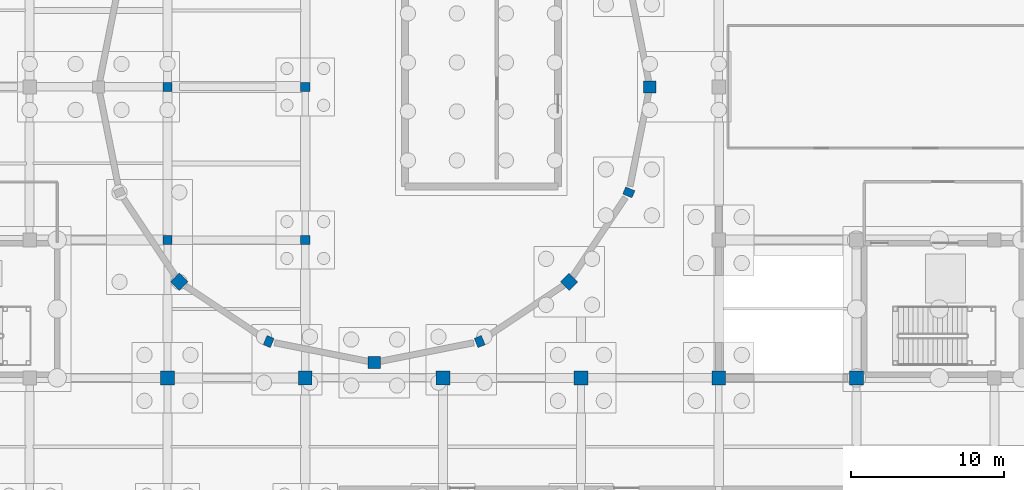
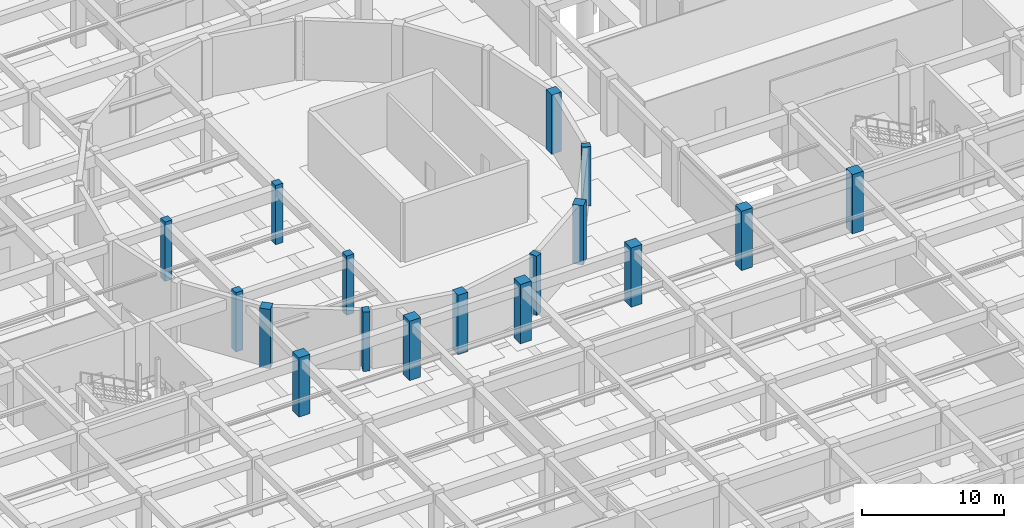
# One storey, part 17 of 62: 17 columns.
"""IFC4 building model written with IfcOpenShell, lengths in metres."""

from ifc_helpers import new_model, si_unit, direction, frame, origin, origin_2d, place, context, subcontext, project, spatial, rectangle, extrude, material, material_profile, profile_set, type_object, element, save


model = new_model("IFC4")

# Units and contexts
model_context = context("Model", 3, precision=1e-05, world=origin(), true_north=direction((0.0, 1.0)))
body_context = subcontext(model_context, "Body", "Model", "MODEL_VIEW")
ifc_project = project(units=[si_unit("LENGTHUNIT", "METRE"), si_unit("AREAUNIT", "SQUARE_METRE"), si_unit("VOLUMEUNIT", "CUBIC_METRE"), si_unit("PLANEANGLEUNIT", "RADIAN"), si_unit("MASSUNIT", "GRAM", prefix="KILO")], contexts=[model_context])

# Site, building, storey
site_placement = place(None, origin())
site = spatial("IfcSite", under=ifc_project, at=site_placement, CompositionType="ELEMENT")
building_placement = place(site_placement, origin())
building = spatial("IfcBuilding", under=site, at=building_placement, Name="Miravela Opera House", CompositionType="ELEMENT")
storey_placement = place(building_placement, frame((0.0, 0.0, -5.10009765625)))
storey = spatial("IfcBuildingStorey", under=building, at=storey_placement, Name="B01", CompositionType="ELEMENT", Elevation=-5.10009765625)

# Columns
ifc_material_1 = material(Name="Concrete C35/45", Category="concrete")
ifc_material_profile_1 = material_profile(ifc_material_1, rectangle(XDim=0.60009765625, YDim=0.60009765625, at=origin_2d()), Name="RC-COL-600X600")
ifc_profile_set_1 = profile_set([ifc_material_profile_1])
column_type_1 = type_object("IfcColumnType", Name="STR-COL-RC600", PredefinedType="COLUMN", material=ifc_profile_set_1)
for number, where, z_axis, x_axis, name in (
    (1, (63.0, 46.0, 0.0), (0.0, 0.0, 1.0), (1.0, 0.0, 0.0), "Column C-8F (B01)"),
    (2, (63.0, 56.0, 0.0), (0.0, 0.0, 1.0), (1.0, 0.0, 0.0), "Column C-8G (B01)"),
    (3, (72.0, 46.0, 0.0), (0.0, 0.0, 1.0), (1.0, 0.0, 0.0), "Column C-9F (B01)"),
    (4, (72.0, 56.0, 0.0), (0.0, 0.0, 1.0), (1.0, 0.0, 0.0), "Column C-9G (B01)"),
):
    element("IfcColumn", number, at=place(storey_placement, frame(where, z_axis=z_axis, x_axis=x_axis)), inside=storey, type_object=column_type_1, Name=name, PredefinedType="COLUMN", context=body_context, shape_type="SweptSolid", body=[
        extrude(rectangle(XDim=0.60009765625, YDim=0.60009765625, at=origin_2d()), origin(), (0.0, 0.0, 1.0), 5.10009765625),
    ])
ifc_material_2 = material(Name="Concrete C40/50", Category="concrete")
ifc_material_profile_2 = material_profile(ifc_material_2, rectangle(XDim=0.89990234375, YDim=0.89990234375, at=origin_2d()), Name="RC-COL-900X900")
ifc_profile_set_2 = profile_set([ifc_material_profile_2])
column_type_2 = type_object("IfcColumnType", Name="STR-COL-RC900", PredefinedType="COLUMN", material=ifc_profile_set_2)
for number, where, z_axis, x_axis, name in (
    (5, (81.0, 37.0, 0.0), (0.0, 0.0, 1.0), (1.0, 0.0, 0.0), "Column C-10E (B01)"),
    (6, (90.0, 37.0, 0.0), (0.0, 0.0, 1.0), (1.0, 0.0, 0.0), "Column C-11E (B01)"),
    (7, (99.0, 37.0, 0.0), (0.0, 0.0, 1.0), (1.0, 0.0, 0.0), "Column C-12E (B01)"),
    (8, (108.0, 37.0, 0.0), (0.0, 0.0, 1.0), (1.0, 0.0, 0.0), "Column C-13E (B01)"),
    (9, (63.0, 37.0, 0.0), (0.0, 0.0, 1.0), (1.0, 0.0, 0.0), "Column C-8E (B01)"),
    (10, (72.0, 37.0, 0.0), (0.0, 0.0, 1.0), (1.0, 0.0, 0.0), "Column C-9E (B01)"),
):
    element("IfcColumn", number, at=place(storey_placement, frame(where, z_axis=z_axis, x_axis=x_axis)), inside=storey, type_object=column_type_2, Name=name, PredefinedType="COLUMN", context=body_context, shape_type="SweptSolid", body=[
        extrude(rectangle(XDim=0.89990234375, YDim=0.89990234375, at=origin_2d()), origin(), (0.0, 0.0, 1.0), 5.10009765625),
    ])
ifc_material_profile_3 = material_profile(ifc_material_1, rectangle(XDim=0.64990234375, YDim=0.5, at=origin_2d()), Name="RC-PIL-650X500")
ifc_profile_set_3 = profile_set([ifc_material_profile_3])
column_type_3 = type_object("IfcColumnType", Name="STR-PIL-RC650X500", PredefinedType="PILASTER", material=ifc_profile_set_3)
for number, where, z_axis, x_axis, name in (
    (11, (69.61181640625, 39.3701171875, 0.0), (0.0, 0.0, 1.0), (-0.382683432365, -0.923879532511, 0.0), "Auditorium Drum Column DC-12 (B01)"),
    (12, (83.38818359375, 39.3701171875, 0.0), (0.0, 0.0, 1.0), (0.382683432365, -0.923879532511, 0.0), "Auditorium Drum Column DC-14 (B01)"),
    (13, (93.1298828125, 49.11181640625, 0.0), (0.0, 0.0, 1.0), (0.923879532511, -0.382683432365, 0.0), "Auditorium Drum Column DC-16 (B01)"),
):
    element("IfcColumn", number, at=place(storey_placement, frame(where, z_axis=z_axis, x_axis=x_axis)), inside=storey, type_object=column_type_3, Name=name, PredefinedType="PILASTER", context=body_context, shape_type="SweptSolid", body=[
        extrude(rectangle(XDim=0.64990234375, YDim=0.5, at=origin_2d()), origin(), (0.0, 0.0, 1.0), 5.10009765625),
    ])
ifc_material_profile_4 = material_profile(ifc_material_2, rectangle(XDim=0.800048828125, YDim=0.800048828125, at=origin_2d()), Name="RC-COL-800X800")
ifc_profile_set_4 = profile_set([ifc_material_profile_4])
column_type_4 = type_object("IfcColumnType", Name="STR-PIL-RC800", PredefinedType="PILASTER", material=ifc_profile_set_4)
for number, where, z_axis, x_axis, name in (
    (14, (94.5, 56.0, 0.0), (0.0, 0.0, 1.0), (1.0, 0.0, 0.0), "Auditorium Drum Column DC-01 (B01)"),
    (15, (63.772216796875, 43.272216796875, 0.0), (0.0, 0.0, 1.0), (-0.707106781187, -0.707106781187, 0.0), "Auditorium Drum Column DC-11 (B01)"),
    (16, (76.5, 38.0, 0.0), (0.0, 0.0, 1.0), (0.0, -1.0, 0.0), "Auditorium Drum Column DC-13 (B01)"),
    (17, (89.227783203125, 43.272216796875, 0.0), (0.0, 0.0, 1.0), (0.707106781187, -0.707106781187, 0.0), "Auditorium Drum Column DC-15 (B01)"),
):
    element("IfcColumn", number, at=place(storey_placement, frame(where, z_axis=z_axis, x_axis=x_axis)), inside=storey, type_object=column_type_4, Name=name, PredefinedType="PILASTER", context=body_context, shape_type="SweptSolid", body=[
        extrude(rectangle(XDim=0.800048828125, YDim=0.800048828125, at=origin_2d()), origin(), (0.0, 0.0, 1.0), 5.10009765625),
    ])

save(model, "model.ifc")
